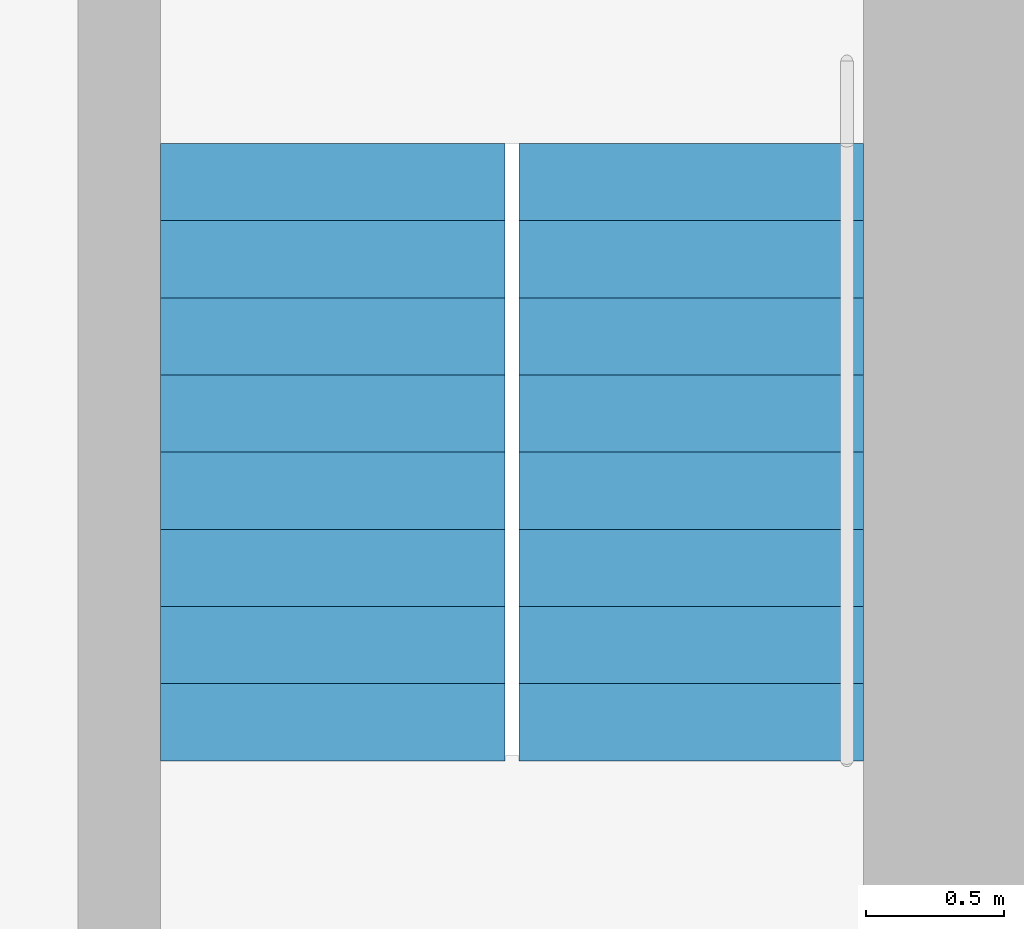
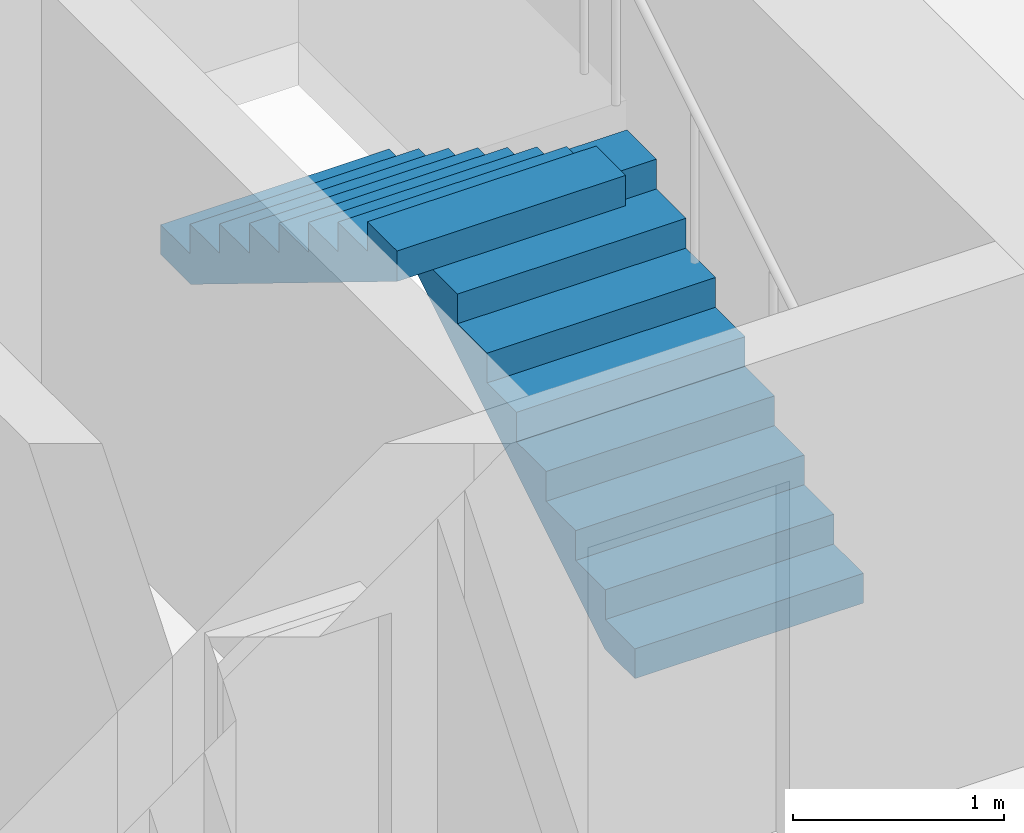
# One storey, part 15 of 17: 2 stair flights, 1 element without a shape of its own.
"""IFC4 building model written with IfcOpenShell, lengths in metres."""

from ifc_helpers import new_model, si_unit, direction, frame, origin, place, context, subcontext, project, spatial, polyline, outline, extrude, material, type_object, element, aggregate, save


model = new_model("IFC4")

# Units and contexts
model_context = context("Model", 3, precision=1e-05, world=origin(), true_north=direction((0.0, 1.0)))
body_context = subcontext(model_context, "Body", "Model", "MODEL_VIEW")
ifc_project = project(units=[si_unit("LENGTHUNIT", "METRE"), si_unit("AREAUNIT", "SQUARE_METRE"), si_unit("VOLUMEUNIT", "CUBIC_METRE"), si_unit("PLANEANGLEUNIT", "RADIAN"), si_unit("MASSUNIT", "GRAM", prefix="KILO")], contexts=[model_context])

# Site, building, storey
site_placement = place(None, origin())
site = spatial("IfcSite", under=ifc_project, at=site_placement, CompositionType="ELEMENT")
building_placement = place(site_placement, origin())
building = spatial("IfcBuilding", under=site, at=building_placement, Name="Tuart Gate Housing", CompositionType="ELEMENT")
storey_placement = place(building_placement, frame((0.0, 0.0, 80.89990234375)))
storey = spatial("IfcBuildingStorey", under=building, at=storey_placement, Name="L22", CompositionType="ELEMENT", Elevation=80.89990234375)

# Stair, stair flights
ifc_material_1 = material(Name="Concrete C40", Category="concrete")
stair_type = type_object("IfcStairType", Name="Core stair 1250", PredefinedType="HALF_TURN_STAIR", material=ifc_material_1)
stair_placement = place(storey_placement, origin())
stair = element("IfcStair", 1, at=stair_placement, inside=storey, type_object=stair_type, Name="Stair SB2", PredefinedType="HALF_TURN_STAIR")
ifc_material_2 = material(Name="Concrete C40", Category="concrete")
stair_flight_type = type_object("IfcStairFlightType", Name="Stair flight 1250, 9 risers 172 x 280", PredefinedType="STRAIGHT", material=ifc_material_2)
stair_flight_1_placement = place(storey_placement, frame((167.31494140625, 70.14990234375, 0.0), z_axis=(0.0, 0.0, 1.0), x_axis=(0.0, 1.0, 0.0)))
stair_flight_1 = element("IfcStairFlight", 2, at=stair_flight_1_placement, type_object=stair_flight_type, Name="SB2 flight 1", NumberOfRisers=9, NumberOfTreads=8, PredefinedType="STRAIGHT", RiserHeight=0.172222222, TreadLength=0.28, context=body_context, shape_type="SweptSolid", body=[
    extrude(outline(polyline([(0.0, 0.0), (0.0, 0.172119140625), (0.280029296875, 0.172119140625), (0.280029296875, 0.344482421875), (0.56005859375, 0.344482421875), (0.56005859375, 0.5166015625), (0.840087890625, 0.5166015625), (0.840087890625, 0.68896484375), (1.1201171875, 0.68896484375), (1.1201171875, 0.861083984375), (1.39990234375, 0.861083984375), (1.39990234375, 1.033447265625), (1.679931640625, 1.033447265625), (1.679931640625, 1.20556640625), (1.9599609375, 1.20556640625), (1.9599609375, 1.377685546875), (2.239990234375, 1.377685546875), (2.239990234375, 1.550048828125), (2.239990234375, 1.201904296875), (0.2861328125, 0.0), (0.0, 0.0)])), frame((0.0, 0.625, 0.0), z_axis=(0.0, -1.0, 0.0), x_axis=(1.0, 0.0, 0.0)), (0.0, 0.0, 1.0), 1.25),
])
stair_flight_2_placement = place(storey_placement, frame((166.014892578125, 72.389892578125, 1.550048828125), z_axis=(0.0, 0.0, 1.0), x_axis=(0.0, -1.0, 0.0)))
stair_flight_2 = element("IfcStairFlight", 3, at=stair_flight_2_placement, type_object=stair_flight_type, Name="SB2 flight 2", NumberOfRisers=9, NumberOfTreads=8, PredefinedType="STRAIGHT", RiserHeight=0.172222222, TreadLength=0.28, context=body_context, shape_type="SweptSolid", body=[
    extrude(outline(polyline([(0.0, 0.0), (0.0, 0.172119140625), (0.280029296875, 0.172119140625), (0.280029296875, 0.344482421875), (0.56005859375, 0.344482421875), (0.56005859375, 0.5166015625), (0.840087890625, 0.5166015625), (0.840087890625, 0.68896484375), (1.1201171875, 0.68896484375), (1.1201171875, 0.861083984375), (1.39990234375, 0.861083984375), (1.39990234375, 1.033447265625), (1.679931640625, 1.033447265625), (1.679931640625, 1.20556640625), (1.9599609375, 1.20556640625), (1.9599609375, 1.377685546875), (2.239990234375, 1.377685546875), (2.239990234375, 1.550048828125), (2.239990234375, 1.201904296875), (0.2861328125, 0.0), (0.0, 0.0)])), frame((0.0, 0.625, 0.0), z_axis=(0.0, -1.0, 0.0), x_axis=(1.0, 0.0, 0.0)), (0.0, 0.0, 1.0), 1.25),
])
aggregate(stair, [stair_flight_1, stair_flight_2])

save(model, "model.ifc")
